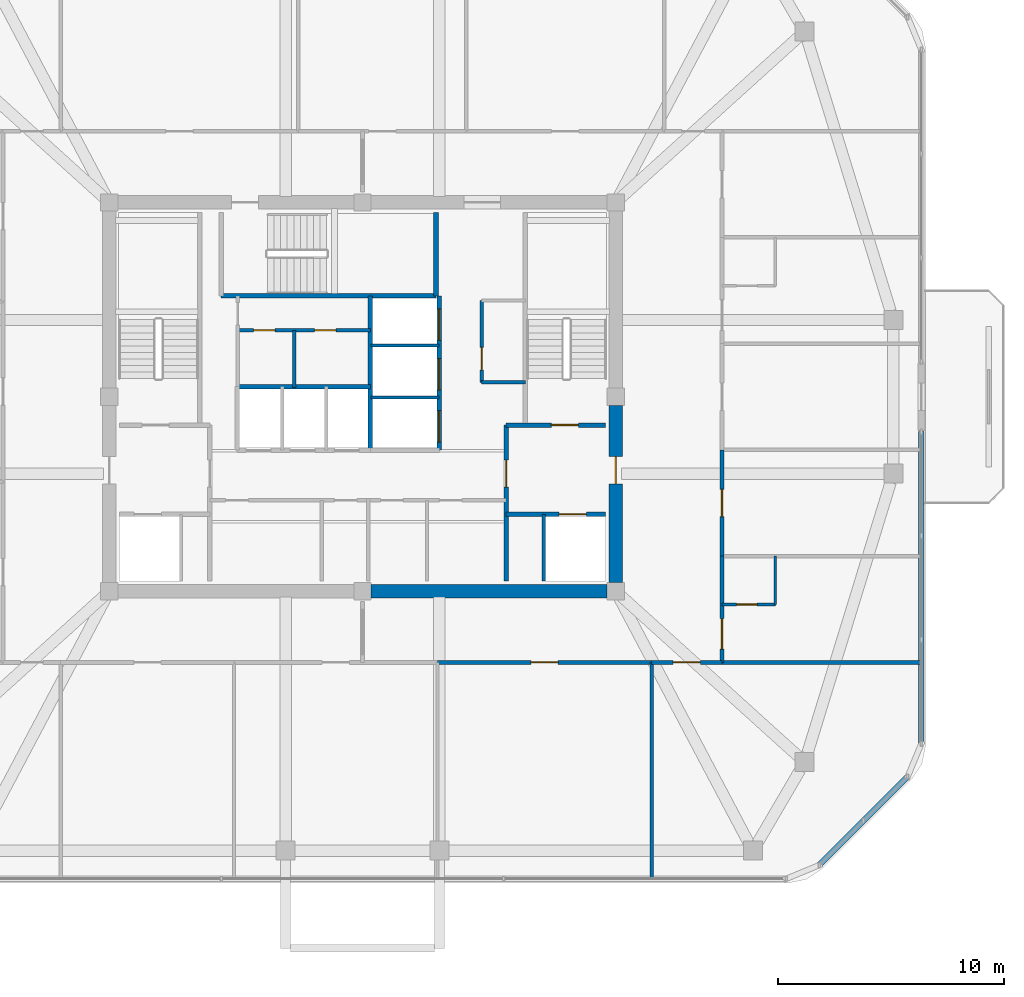
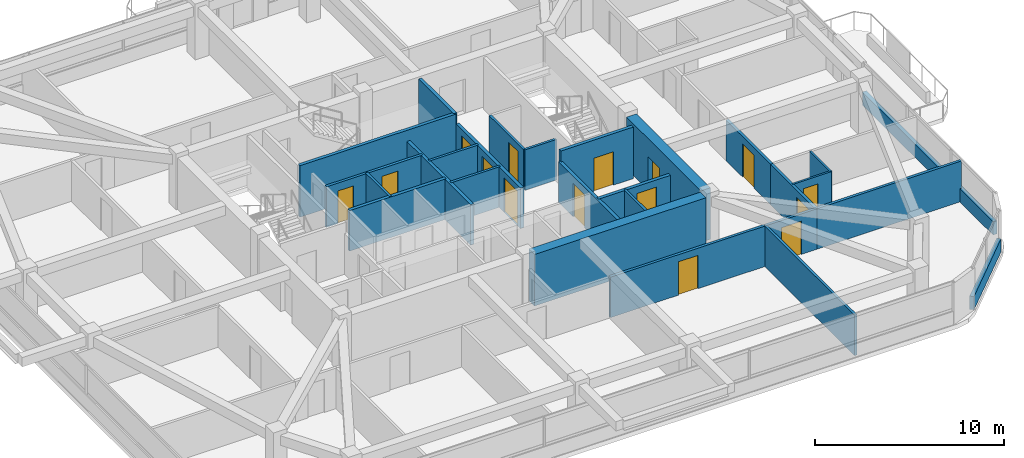
# One storey, part 10 of 14: 27 walls, 15 doors, 15 openings.
"""IFC4 building model written with IfcOpenShell, lengths in metres."""

from ifc_helpers import new_model, si_unit, derived_unit, direction, frame, frame_2d, origin, place, context, subcontext, project, spatial, rectangle, extrude, material, layer, layer_set, type_object, element, fill, save


model = new_model("IFC4")

# Units and contexts
model_context = context("Model", 3, precision=1e-05, world=origin(), true_north=direction((0.0, 1.0)))
body_context = subcontext(model_context, "Body", "Model", "MODEL_VIEW")
ifc_project = project(units=[si_unit("LENGTHUNIT", "METRE"), si_unit("AREAUNIT", "SQUARE_METRE"), si_unit("VOLUMEUNIT", "CUBIC_METRE"), si_unit("PLANEANGLEUNIT", "RADIAN"), si_unit("MASSUNIT", "GRAM", prefix="KILO"), derived_unit("THERMALTRANSMITTANCEUNIT", [(si_unit("POWERUNIT", "WATT"), 1), (si_unit("LENGTHUNIT", "METRE"), -2), (si_unit("THERMODYNAMICTEMPERATUREUNIT", "KELVIN"), -1)])], contexts=[model_context])

# Site, building, storey
site_placement = place(None, origin())
site = spatial("IfcSite", under=ifc_project, at=site_placement, CompositionType="ELEMENT")
building_placement = place(site_placement, origin())
building = spatial("IfcBuilding", under=site, at=building_placement, Name="Koralith Skygarden Medical Center", CompositionType="ELEMENT")
storey_placement = place(building_placement, frame((0.0, 0.0, 260.820068359375)))
storey = spatial("IfcBuildingStorey", under=building, at=storey_placement, Name="L67", CompositionType="ELEMENT", Elevation=260.820068359375)

# Wall, opening, door
ifc_material_1 = material(Name="Gypsum Board Partition")
ifc_layer_1 = layer(ifc_material_1, 0.14990234375)
ifc_layer_set_1 = layer_set([ifc_layer_1], Name="Gypsum Board Partition")
wall_type_1 = type_object("IfcWallType", Name="Clinical Acoustic Partition 150", PredefinedType="PARTITIONING", material=ifc_layer_set_1)
wall_1_placement = place(storey_placement, frame((42.27001953125, 26.5400390625, 0.0), z_axis=(0.0, 0.0, 1.0), x_axis=(0.0, 1.0, 0.0)))
wall_1 = element("IfcWall", 1, at=wall_1_placement, inside=storey, type_object=wall_type_1, Name="L67 Clinical Acoustic Partition 150 W-CORE-L67-ESUB-W", PredefinedType="PARTITIONING", context=body_context, shape_type="SweptSolid", body=[
    extrude(rectangle(XDim=3.619873046875, YDim=0.14990234375, at=frame_2d((1.81005859375, 0.0))), origin(), (0.0, 0.0, 1.0), 2.60986328125),
])
opening_1_placement = place(wall_1_placement, frame((0.550048828125, 0.0, 0.0)))
opening_1 = element("IfcOpeningElement", 2, at=opening_1_placement, cuts=wall_1, Name="Opening D-SUP", PredefinedType="OPENING", context=body_context, shape_type="SweptSolid", body=[
    extrude(rectangle(XDim=1.0, YDim=2.14990234375, at=frame_2d((0.5, 1.074951171875))), frame((0.0, 0.0849609375, 0.0), z_axis=(0.0, -1.0, 0.0), x_axis=(1.0, 0.0, 0.0)), (0.0, 0.0, 1.0), 0.169921875),
])
ifc_material_2 = material(Name="Aluminium 6063-T6", Category="aluminium")
door_type_1 = type_object("IfcDoorType", Name="Clinical Support Door D-SUP 1000", OperationType="NOTDEFINED", PredefinedType="DOOR", material=ifc_material_2)
door_1_placement = place(opening_1_placement, origin())
door_1 = element("IfcDoor", 3, at=door_1_placement, inside=storey, type_object=door_type_1, Name="L67 Core Equipment Store Door", OperationType="SINGLE_SWING_LEFT", OverallHeight=2.14990234375, OverallWidth=1.0, PredefinedType="DOOR", context=body_context, shape_type="SweptSolid", body=[
    extrude(rectangle(XDim=1.0, YDim=2.14990234375, at=frame_2d((0.5, 1.074951171875))), frame((0.0, 0.02490234375, 0.0), z_axis=(0.0, -1.0, 0.0), x_axis=(1.0, 0.0, 0.0)), (0.0, 0.0, 1.0), 0.050048828125),
])
fill(opening_1, door_1)

# Walls
wall_2_placement = place(storey_placement, frame((42.27001953125, 26.5400390625, 0.0), z_axis=(0.0, 0.0, 1.0), x_axis=(1.0, 0.0, 0.0)))
element("IfcWall", 4, at=wall_2_placement, inside=storey, type_object=wall_type_1, Name="L67 Clinical Acoustic Partition 150 W-CORE-L67-ESUB-S", PredefinedType="PARTITIONING", context=body_context, shape_type="SweptSolid", body=[
    extrude(rectangle(XDim=1.929931640625, YDim=0.14990234375, at=frame_2d((0.96484375, 0.0))), origin(), (0.0, 0.0, 1.0), 2.60986328125),
])
wall_3_placement = place(storey_placement, frame((33.97998046875, 26.320068359375, 0.0), z_axis=(0.0, 0.0, 1.0), x_axis=(0.0, 1.0, 0.0)))
element("IfcWall", 5, at=wall_3_placement, inside=storey, type_object=wall_type_1, Name="L67 Clinical Acoustic Partition 150 W-CORE-L67-FLEX-V3A", PredefinedType="PARTITIONING", context=body_context, shape_type="SweptSolid", body=[
    extrude(rectangle(XDim=2.52001953125, YDim=0.14990234375, at=frame_2d((1.260009765625, 0.0))), origin(), (0.0, 0.0, 1.0), 2.60986328125),
])
wall_4_placement = place(storey_placement, frame((49.787109375, 14.14990234375, 0.0), z_axis=(0.0, 0.0, 1.0), x_axis=(0.0, -1.0, 0.0)))
element("IfcWall", 6, at=wall_4_placement, inside=storey, type_object=wall_type_1, Name="L67 Clinical Acoustic Partition 150 W-PART-L67-S-04", PredefinedType="PARTITIONING", context=body_context, shape_type="SweptSolid", body=[
    extrude(rectangle(XDim=9.5498046875, YDim=0.14990234375, at=frame_2d((4.77490234375, 0.0))), origin(), (0.0, 0.0, 1.0), 2.60986328125),
])
ifc_layer_2 = layer(ifc_material_1, 0.1650390625)
ifc_layer_set_2 = layer_set([ifc_layer_2], Name="Gypsum Board Partition")
wall_type_2 = type_object("IfcWallType", Name="Clinical Corridor Partition 165", PredefinedType="PARTITIONING", material=ifc_layer_set_2)
wall_5_placement = place(storey_placement, frame((52.89990234375, 14.14990234375, 0.0), z_axis=(0.0, 0.0, 1.0), x_axis=(1.0, 0.0, 0.0)))
element("IfcWall", 7, at=wall_5_placement, inside=storey, type_object=wall_type_2, Name="L67 Clinical Corridor Partition 165 W-WB-L67-SE", PredefinedType="PARTITIONING", context=body_context, shape_type="SweptSolid", body=[
    extrude(rectangle(XDim=8.800048828125, YDim=0.1650390625, at=frame_2d((4.39990234375, 0.0))), origin(), (0.0, 0.0, 1.0), 2.60986328125),
])

# Wall, opening, door
wall_6_placement = place(storey_placement, frame((40.31494140625, 14.14990234375, 0.0), z_axis=(0.0, 0.0, 1.0), x_axis=(1.0, 0.0, 0.0)))
wall_6 = element("IfcWall", 8, at=wall_6_placement, inside=storey, type_object=wall_type_2, Name="L67 Clinical Corridor Partition 165 W-CORR-L67-S-04", PredefinedType="PARTITIONING", context=body_context, shape_type="SweptSolid", body=[
    extrude(rectangle(XDim=9.47216796875, YDim=0.1650390625, at=frame_2d((4.736083984375, 0.0))), origin(), (0.0, 0.0, 1.0), 2.60986328125),
])
opening_2_placement = place(wall_6_placement, frame((4.135986328125, 0.0, 0.0)))
opening_2 = element("IfcOpeningElement", 9, at=opening_2_placement, cuts=wall_6, Name="Opening D-CLN", PredefinedType="OPENING", context=body_context, shape_type="SweptSolid", body=[
    extrude(rectangle(XDim=1.199951171875, YDim=2.14990234375, at=frame_2d((0.60009765625, 1.074951171875))), frame((0.0, 0.092529296875, 0.0), z_axis=(0.0, -1.0, 0.0), x_axis=(1.0, 0.0, 0.0)), (0.0, 0.0, 1.0), 0.18505859375),
])
door_type_2 = type_object("IfcDoorType", Name="Clinical Corridor Door D-CLN 1200", OperationType="NOTDEFINED", PredefinedType="DOOR", material=ifc_material_2)
door_2_placement = place(opening_2_placement, frame((1.199951171875, 0.0, 0.0), z_axis=(0.0, 0.0, 1.0), x_axis=(-1.0, 0.0, 0.0)))
door_2 = element("IfcDoor", 10, at=door_2_placement, inside=storey, type_object=door_type_2, Name="L67 Epidemiology Huddle Room 09 Door", OperationType="SINGLE_SWING_RIGHT", OverallHeight=2.14990234375, OverallWidth=1.199951171875, PredefinedType="DOOR", context=body_context, shape_type="SweptSolid", body=[
    extrude(rectangle(XDim=1.199951171875, YDim=2.14990234375, at=frame_2d((0.60009765625, 1.074951171875))), frame((0.0, 0.02490234375, 0.0), z_axis=(0.0, -1.0, 0.0), x_axis=(1.0, 0.0, 0.0)), (0.0, 0.0, 1.0), 0.050048828125),
])
fill(opening_2, door_2)

wall_7_placement = place(storey_placement, frame((49.787109375, 14.14990234375, 0.0), z_axis=(0.0, 0.0, 1.0), x_axis=(1.0, 0.0, 0.0)))
wall_7 = element("IfcWall", 11, at=wall_7_placement, inside=storey, type_object=wall_type_2, Name="L67 Clinical Corridor Partition 165 W-CORR-L67-S-05", PredefinedType="PARTITIONING", context=body_context, shape_type="SweptSolid", body=[
    extrude(rectangle(XDim=3.11279296875, YDim=0.1650390625, at=frame_2d((1.556396484375, 0.0))), origin(), (0.0, 0.0, 1.0), 2.60986328125),
])
opening_3_placement = place(wall_7_placement, frame((0.9560546875, 0.0, 0.0)))
opening_3 = element("IfcOpeningElement", 12, at=opening_3_placement, cuts=wall_7, Name="Opening D-CLN", PredefinedType="OPENING", context=body_context, shape_type="SweptSolid", body=[
    extrude(rectangle(XDim=1.199951171875, YDim=2.14990234375, at=frame_2d((0.60009765625, 1.074951171875))), frame((0.0, 0.092529296875, 0.0), z_axis=(0.0, -1.0, 0.0), x_axis=(1.0, 0.0, 0.0)), (0.0, 0.0, 1.0), 0.18505859375),
])
door_3_placement = place(opening_3_placement, frame((1.199951171875, 0.0, 0.0), z_axis=(0.0, 0.0, 1.0), x_axis=(-1.0, 0.0, 0.0)))
door_3 = element("IfcDoor", 13, at=door_3_placement, inside=storey, type_object=door_type_2, Name="L67 Infectious Disease Consult Office 10 Door", OperationType="SINGLE_SWING_LEFT", OverallHeight=2.14990234375, OverallWidth=1.199951171875, PredefinedType="DOOR", context=body_context, shape_type="SweptSolid", body=[
    extrude(rectangle(XDim=1.199951171875, YDim=2.14990234375, at=frame_2d((0.60009765625, 1.074951171875))), frame((0.0, 0.02490234375, 0.0), z_axis=(0.0, -1.0, 0.0), x_axis=(1.0, 0.0, 0.0)), (0.0, 0.0, 1.0), 0.050048828125),
])
fill(opening_3, door_3)

wall_8_placement = place(storey_placement, frame((52.89990234375, 14.14990234375, 0.0), z_axis=(0.0, 0.0, 1.0), x_axis=(0.0, 1.0, 0.0)))
wall_8 = element("IfcWall", 14, at=wall_8_placement, inside=storey, type_object=wall_type_2, Name="L67 Clinical Corridor Partition 165 W-CORR-L67-E-01", PredefinedType="PARTITIONING", context=body_context, shape_type="SweptSolid", body=[
    extrude(rectangle(XDim=4.7001953125, YDim=0.1650390625, at=frame_2d((2.35009765625, 0.0))), origin(), (0.0, 0.0, 1.0), 2.60986328125),
])
opening_4_placement = place(wall_8_placement, frame((0.590087890625, 0.0, 0.0)))
opening_4 = element("IfcOpeningElement", 15, at=opening_4_placement, cuts=wall_8, Name="Opening D-BED", PredefinedType="OPENING", context=body_context, shape_type="SweptSolid", body=[
    extrude(rectangle(XDim=1.35009765625, YDim=2.14990234375, at=frame_2d((0.675048828125, 1.074951171875))), frame((0.0, 0.092529296875, 0.0), z_axis=(0.0, -1.0, 0.0), x_axis=(1.0, 0.0, 0.0)), (0.0, 0.0, 1.0), 0.18505859375),
])
door_type_3 = type_object("IfcDoorType", Name="Inpatient Bed Leaf Door D-BED 1350", OperationType="NOTDEFINED", PredefinedType="DOOR", material=ifc_material_2)
door_4_placement = place(opening_4_placement, origin())
door_4 = element("IfcDoor", 16, at=door_4_placement, inside=storey, type_object=door_type_3, Name="L67 Inpatient Bedroom 14 Door", OperationType="SINGLE_SWING_LEFT", OverallHeight=2.14990234375, OverallWidth=1.35009765625, PredefinedType="DOOR", context=body_context, shape_type="SweptSolid", body=[
    extrude(rectangle(XDim=1.35009765625, YDim=2.14990234375, at=frame_2d((0.675048828125, 1.074951171875))), frame((0.0, 0.02490234375, 0.0), z_axis=(0.0, -1.0, 0.0), x_axis=(1.0, 0.0, 0.0)), (0.0, 0.0, 1.0), 0.050048828125),
])
fill(opening_4, door_4)

wall_9_placement = place(storey_placement, frame((52.89990234375, 18.85009765625, 0.0), z_axis=(0.0, 0.0, 1.0), x_axis=(0.0, 1.0, 0.0)))
wall_9 = element("IfcWall", 17, at=wall_9_placement, inside=storey, type_object=wall_type_2, Name="L67 Clinical Corridor Partition 165 W-CORR-L67-E-02", PredefinedType="PARTITIONING", context=body_context, shape_type="SweptSolid", body=[
    extrude(rectangle(XDim=4.699951171875, YDim=0.1650390625, at=frame_2d((2.35009765625, 0.0))), origin(), (0.0, 0.0, 1.0), 2.60986328125),
])
opening_5_placement = place(wall_9_placement, frame((1.75, 0.0, 0.0)))
opening_5 = element("IfcOpeningElement", 18, at=opening_5_placement, cuts=wall_9, Name="Opening D-CLN", PredefinedType="OPENING", context=body_context, shape_type="SweptSolid", body=[
    extrude(rectangle(XDim=1.199951171875, YDim=2.14990234375, at=frame_2d((0.60009765625, 1.074951171875))), frame((0.0, 0.092529296875, 0.0), z_axis=(0.0, -1.0, 0.0), x_axis=(1.0, 0.0, 0.0)), (0.0, 0.0, 1.0), 0.18505859375),
])
door_5_placement = place(opening_5_placement, origin())
door_5 = element("IfcDoor", 19, at=door_5_placement, inside=storey, type_object=door_type_2, Name="L67 Infectious Disease Consult Office 15 Door", OperationType="SINGLE_SWING_RIGHT", OverallHeight=2.14990234375, OverallWidth=1.199951171875, PredefinedType="DOOR", context=body_context, shape_type="SweptSolid", body=[
    extrude(rectangle(XDim=1.199951171875, YDim=2.14990234375, at=frame_2d((0.60009765625, 1.074951171875))), frame((0.0, 0.02490234375, 0.0), z_axis=(0.0, -1.0, 0.0), x_axis=(1.0, 0.0, 0.0)), (0.0, 0.0, 1.0), 0.050048828125),
])
fill(opening_5, door_5)

ifc_layer_3 = layer(ifc_material_1, 0.199951171875)
ifc_layer_set_3 = layer_set([ifc_layer_3], Name="Gypsum Board Partition")
wall_type_3 = type_object("IfcWallType", Name="Fire Shaft Wall 200", PredefinedType="SOLIDWALL", material=ifc_layer_set_3)
wall_10_placement = place(storey_placement, frame((43.35009765625, 20.699951171875, 0.0), z_axis=(0.0, 0.0, 1.0), x_axis=(1.0, 0.0, 0.0)))
wall_10 = element("IfcWall", 20, at=wall_10_placement, inside=storey, type_object=wall_type_3, Name="L67 Fire Shaft Wall 200 W-CORE-L67-FF2-N", PredefinedType="SOLIDWALL", context=body_context, shape_type="SweptSolid", body=[
    extrude(rectangle(XDim=4.39990234375, YDim=0.199951171875, at=frame_2d((2.199951171875, 0.0))), origin(), (0.0, 0.0, 1.0), 2.60986328125),
])
opening_6_placement = place(wall_10_placement, frame((2.35009765625, 0.0, 0.0)))
opening_6 = element("IfcOpeningElement", 21, at=opening_6_placement, cuts=wall_10, Name="Opening LD-FF", PredefinedType="OPENING", context=body_context, shape_type="SweptSolid", body=[
    extrude(rectangle(XDim=1.199951171875, YDim=2.14990234375, at=frame_2d((0.60009765625, 1.074951171875))), frame((0.0, 0.10986328125, 0.0), z_axis=(0.0, -1.0, 0.0), x_axis=(1.0, 0.0, 0.0)), (0.0, 0.0, 1.0), 0.219970703125),
])
ifc_material_3 = material(Name="Steel ASTM A500 Grade C", Category="steel")
door_type_4 = type_object("IfcDoorType", Name="Fire Lift Sliding Landing Door LD-FF 1200", OperationType="NOTDEFINED", PredefinedType="DOOR", material=ifc_material_3)
door_6_placement = place(opening_6_placement, origin())
door_6 = element("IfcDoor", 22, at=door_6_placement, inside=storey, type_object=door_type_4, Name="L67 Fire Service Elevator FF2 Landing Door", OperationType="SLIDING_TO_RIGHT", OverallHeight=2.14990234375, OverallWidth=1.199951171875, PredefinedType="DOOR", context=body_context, shape_type="SweptSolid", body=[
    extrude(rectangle(XDim=1.199951171875, YDim=2.14990234375, at=frame_2d((0.60009765625, 1.074951171875))), frame((0.0, 0.02490234375, 0.0), z_axis=(0.0, -1.0, 0.0), x_axis=(1.0, 0.0, 0.0)), (0.0, 0.0, 1.0), 0.050048828125),
])
fill(opening_6, door_6)

wall_11_placement = place(storey_placement, frame((43.35009765625, 17.75, 0.0), z_axis=(0.0, 0.0, 1.0), x_axis=(0.0, 1.0, 0.0)))
wall_11 = element("IfcWall", 23, at=wall_11_placement, inside=storey, type_object=wall_type_3, Name="L67 Fire Shaft Wall 200 W-CORE-L67-FSAEE-W", PredefinedType="SOLIDWALL", context=body_context, shape_type="SweptSolid", body=[
    extrude(rectangle(XDim=6.89990234375, YDim=0.199951171875, at=frame_2d((3.449951171875, 0.0))), origin(), (0.0, 0.0, 1.0), 2.60986328125),
])
opening_7_placement = place(wall_11_placement, frame((4.14990234375, 0.0, 0.0)))
opening_7 = element("IfcOpeningElement", 24, at=opening_7_placement, cuts=wall_11, Name="Opening D-ST60", PredefinedType="OPENING", context=body_context, shape_type="SweptSolid", body=[
    extrude(rectangle(XDim=1.199951171875, YDim=2.14990234375, at=frame_2d((0.60009765625, 1.074951171875))), frame((0.0, 0.10986328125, 0.0), z_axis=(0.0, -1.0, 0.0), x_axis=(1.0, 0.0, 0.0)), (0.0, 0.0, 1.0), 0.219970703125),
])
door_type_5 = type_object("IfcDoorType", Name="Smokeproof Stair Fire Door FD60S 1200", OperationType="NOTDEFINED", PredefinedType="DOOR", material=ifc_material_3)
door_7_placement = place(opening_7_placement, frame((1.199951171875, 0.0, 0.0), z_axis=(0.0, 0.0, 1.0), x_axis=(-1.0, 0.0, 0.0)))
door_7 = element("IfcDoor", 25, at=door_7_placement, inside=storey, type_object=door_type_5, Name="L67 East Firefighting Lobby Inner Fire Door", OperationType="SINGLE_SWING_RIGHT", OverallHeight=2.14990234375, OverallWidth=1.199951171875, PredefinedType="DOOR", context=body_context, shape_type="SweptSolid", body=[
    extrude(rectangle(XDim=1.199951171875, YDim=2.14990234375, at=frame_2d((0.60009765625, 1.074951171875))), frame((0.0, 0.02490234375, 0.0), z_axis=(0.0, -1.0, 0.0), x_axis=(1.0, 0.0, 0.0)), (0.0, 0.0, 1.0), 0.050048828125),
])
fill(opening_7, door_7)

# Walls
wall_12_placement = place(storey_placement, frame((31.449951171875, 26.35009765625, 0.0), z_axis=(0.0, 0.0, 1.0), x_axis=(1.0, 0.0, 0.0)))
element("IfcWall", 26, at=wall_12_placement, inside=storey, type_object=wall_type_3, Name="L67 Fire Shaft Wall 200 W-CORE-L67-PH-N", PredefinedType="SOLIDWALL", context=body_context, shape_type="SweptSolid", body=[
    extrude(rectangle(XDim=5.900146484375, YDim=0.199951171875, at=frame_2d((2.9501953125, 0.0))), origin(), (0.0, 0.0, 1.0), 2.60986328125),
])
wall_13_placement = place(storey_placement, frame((37.35009765625, 23.5400390625, 0.0), z_axis=(0.0, 0.0, 1.0), x_axis=(0.0, 1.0, 0.0)))
element("IfcWall", 27, at=wall_13_placement, inside=storey, type_object=wall_type_3, Name="L67 Fire Shaft Wall 200 W-CORE-L67-SV-W", PredefinedType="SOLIDWALL", context=body_context, shape_type="SweptSolid", body=[
    extrude(rectangle(XDim=6.820068359375, YDim=0.199951171875, at=frame_2d((3.41015625, 0.0))), origin(), (0.0, 0.0, 1.0), 2.60986328125),
])

# Wall, openings, doors
wall_14_placement = place(storey_placement, frame((40.39990234375, 23.5400390625, 0.0), z_axis=(0.0, 0.0, 1.0), x_axis=(0.0, 1.0, 0.0)))
wall_14 = element("IfcWall", 28, at=wall_14_placement, inside=storey, type_object=wall_type_3, Name="L67 Fire Shaft Wall 200 W-CORE-L67-SV-E", PredefinedType="SOLIDWALL", context=body_context, shape_type="SweptSolid", body=[
    extrude(rectangle(XDim=6.820068359375, YDim=0.199951171875, at=frame_2d((3.41015625, 0.0))), origin(), (0.0, 0.0, 1.0), 2.60986328125),
])
opening_8_placement = place(wall_14_placement, frame((0.35009765625, 0.0, 0.0)))
opening_8 = element("IfcOpeningElement", 29, at=opening_8_placement, cuts=wall_14, Name="Opening LD-SV", PredefinedType="OPENING", context=body_context, shape_type="SweptSolid", body=[
    extrude(rectangle(XDim=1.39990234375, YDim=2.199951171875, at=frame_2d((0.699951171875, 1.10009765625))), frame((0.0, 0.10986328125, 0.0), z_axis=(0.0, -1.0, 0.0), x_axis=(1.0, 0.0, 0.0)), (0.0, 0.0, 1.0), 0.219970703125),
])
opening_9_placement = place(wall_14_placement, frame((2.64990234375, 0.0, 0.0)))
opening_9 = element("IfcOpeningElement", 30, at=opening_9_placement, cuts=wall_14, Name="Opening LD-SV", PredefinedType="OPENING", context=body_context, shape_type="SweptSolid", body=[
    extrude(rectangle(XDim=1.39990234375, YDim=2.199951171875, at=frame_2d((0.699951171875, 1.10009765625))), frame((0.0, 0.10986328125, 0.0), z_axis=(0.0, -1.0, 0.0), x_axis=(1.0, 0.0, 0.0)), (0.0, 0.0, 1.0), 0.219970703125),
])
opening_10_placement = place(wall_14_placement, frame((4.85009765625, 0.0, 0.0)))
opening_10 = element("IfcOpeningElement", 31, at=opening_10_placement, cuts=wall_14, Name="Opening LD-SV", PredefinedType="OPENING", context=body_context, shape_type="SweptSolid", body=[
    extrude(rectangle(XDim=1.39990234375, YDim=2.199951171875, at=frame_2d((0.699951171875, 1.10009765625))), frame((0.0, 0.10986328125, 0.0), z_axis=(0.0, -1.0, 0.0), x_axis=(1.0, 0.0, 0.0)), (0.0, 0.0, 1.0), 0.219970703125),
])
door_type_6 = type_object("IfcDoorType", Name="Bed Lift Sliding Landing Door LD-SV 1400", OperationType="NOTDEFINED", PredefinedType="DOOR", material=ifc_material_3)
door_8_placement = place(opening_8_placement, origin())
door_8 = element("IfcDoor", 32, at=door_8_placement, inside=storey, type_object=door_type_6, Name="L67 Bed Elevator BD1 Landing Door", OperationType="SLIDING_TO_LEFT", OverallHeight=2.199951171875, OverallWidth=1.39990234375, PredefinedType="DOOR", context=body_context, shape_type="SweptSolid", body=[
    extrude(rectangle(XDim=1.39990234375, YDim=2.199951171875, at=frame_2d((0.699951171875, 1.10009765625))), frame((0.0, 0.02490234375, 0.0), z_axis=(0.0, -1.0, 0.0), x_axis=(1.0, 0.0, 0.0)), (0.0, 0.0, 1.0), 0.050048828125),
])
fill(opening_8, door_8)
door_9_placement = place(opening_9_placement, origin())
door_9 = element("IfcDoor", 33, at=door_9_placement, inside=storey, type_object=door_type_6, Name="L67 Service Elevator BD2 Landing Door", OperationType="SLIDING_TO_LEFT", OverallHeight=2.199951171875, OverallWidth=1.39990234375, PredefinedType="DOOR", context=body_context, shape_type="SweptSolid", body=[
    extrude(rectangle(XDim=1.39990234375, YDim=2.199951171875, at=frame_2d((0.699951171875, 1.10009765625))), frame((0.0, 0.02490234375, 0.0), z_axis=(0.0, -1.0, 0.0), x_axis=(1.0, 0.0, 0.0)), (0.0, 0.0, 1.0), 0.050048828125),
])
fill(opening_9, door_9)
door_10_placement = place(opening_10_placement, origin())
door_10 = element("IfcDoor", 34, at=door_10_placement, inside=storey, type_object=door_type_6, Name="L67 Trauma Elevator TR1 Landing Door", OperationType="SLIDING_TO_RIGHT", OverallHeight=2.199951171875, OverallWidth=1.39990234375, PredefinedType="DOOR", context=body_context, shape_type="SweptSolid", body=[
    extrude(rectangle(XDim=1.39990234375, YDim=2.199951171875, at=frame_2d((0.699951171875, 1.10009765625))), frame((0.0, 0.02490234375, 0.0), z_axis=(0.0, -1.0, 0.0), x_axis=(1.0, 0.0, 0.0)), (0.0, 0.0, 1.0), 0.050048828125),
])
fill(opening_10, door_10)

# Walls
ifc_material_4 = material(Name="Warm Oolitic Limestone Cladding", Category="masonry")
ifc_layer_4 = layer(ifc_material_4, 0.239990234375)
ifc_layer_set_4 = layer_set([ifc_layer_4], Name="Warm Oolitic Limestone Cladding")
wall_type_4 = type_object("IfcWallType", Name="Limestone Spandrel Sill Backup Wall 240", PredefinedType="SOLIDWALL", material=ifc_layer_set_4)
wall_15_placement = place(storey_placement, frame((57.196044921875, 5.180908203125, 0.0), z_axis=(0.0, 0.0, 1.0), x_axis=(0.707084777957, 0.707128783731, 0.0)))
element("IfcWall", 35, at=wall_15_placement, inside=storey, type_object=wall_type_4, Name="L67 Sill Spandrel SE", PredefinedType="SOLIDWALL", context=body_context, shape_type="SweptSolid", body=[
    extrude(rectangle(XDim=5.5478515625, YDim=0.239990234375, at=frame_2d((2.77392578125, 0.0))), origin(), (0.0, 0.0, 1.0), 0.849853515625),
])
wall_16_placement = place(storey_placement, frame((61.719970703125, 10.554931640625, 0.0), z_axis=(0.0, 0.0, 1.0), x_axis=(0.0, 1.0, 0.0)))
element("IfcWall", 36, at=wall_16_placement, inside=storey, type_object=wall_type_4, Name="L67 Sill Spandrel E-L", PredefinedType="SOLIDWALL", context=body_context, shape_type="SweptSolid", body=[
    extrude(rectangle(XDim=13.80517578125, YDim=0.239990234375, at=frame_2d((6.902587890625, 0.0))), origin(), (0.0, 0.0, 1.0), 0.849853515625),
])

# Wall, opening, door
ifc_layer_5 = layer(ifc_material_1, 0.1201171875)
ifc_layer_set_5 = layer_set([ifc_layer_5], Name="Gypsum Board Partition")
wall_type_5 = type_object("IfcWallType", Name="Plumbing Wet Wall 120", PredefinedType="PLUMBINGWALL", material=ifc_layer_set_5)
wall_17_placement = place(storey_placement, frame((52.89990234375, 16.7099609375, 0.0), z_axis=(0.0, 0.0, 1.0), x_axis=(1.0, 0.0, 0.0)))
wall_17 = element("IfcWall", 37, at=wall_17_placement, inside=storey, type_object=wall_type_5, Name="L67 Plumbing Wet Wall 120 W-ENS-L67-14A", PredefinedType="PLUMBINGWALL", context=body_context, shape_type="SweptSolid", body=[
    extrude(rectangle(XDim=2.360107421875, YDim=0.1201171875, at=frame_2d((1.18017578125, 0.0))), origin(), (0.0, 0.0, 1.0), 2.60986328125),
])
opening_11_placement = place(wall_17_placement, frame((0.64990234375, 0.0, 0.0)))
opening_11 = element("IfcOpeningElement", 38, at=opening_11_placement, cuts=wall_17, Name="Opening D-ENS", PredefinedType="OPENING", context=body_context, shape_type="SweptSolid", body=[
    extrude(rectangle(XDim=0.89990234375, YDim=2.10009765625, at=frame_2d((0.449951171875, 1.050048828125))), frame((0.0, 0.070068359375, 0.0), z_axis=(0.0, -1.0, 0.0), x_axis=(1.0, 0.0, 0.0)), (0.0, 0.0, 1.0), 0.14013671875),
])
door_type_7 = type_object("IfcDoorType", Name="En-Suite Bathroom Door D-ENS 900", OperationType="NOTDEFINED", PredefinedType="DOOR", material=ifc_material_2)
door_11_placement = place(opening_11_placement, frame((0.89990234375, 0.0, 0.0), z_axis=(0.0, 0.0, 1.0), x_axis=(-1.0, 0.0, 0.0)))
door_11 = element("IfcDoor", 39, at=door_11_placement, inside=storey, type_object=door_type_7, Name="L67 En-Suite 14 Door", OperationType="SINGLE_SWING_LEFT", OverallHeight=2.10009765625, OverallWidth=0.89990234375, PredefinedType="DOOR", context=body_context, shape_type="SweptSolid", body=[
    extrude(rectangle(XDim=0.89990234375, YDim=2.10009765625, at=frame_2d((0.449951171875, 1.050048828125))), frame((0.0, 0.02490234375, 0.0), z_axis=(0.0, -1.0, 0.0), x_axis=(1.0, 0.0, 0.0)), (0.0, 0.0, 1.0), 0.050048828125),
])
fill(opening_11, door_11)

# Wall
wall_18_placement = place(storey_placement, frame((55.260009765625, 16.7099609375, 0.0), z_axis=(0.0, 0.0, 1.0), x_axis=(0.0, 1.0, 0.0)))
element("IfcWall", 40, at=wall_18_placement, inside=storey, type_object=wall_type_5, Name="L67 Plumbing Wet Wall 120 W-ENS-L67-14B", PredefinedType="PLUMBINGWALL", context=body_context, shape_type="SweptSolid", body=[
    extrude(rectangle(XDim=2.14013671875, YDim=0.1201171875, at=frame_2d((1.070068359375, 0.0))), origin(), (0.0, 0.0, 1.0), 2.60986328125),
])

# Wall, openings, doors
ifc_layer_6 = layer(ifc_material_1, 0.1650390625)
ifc_layer_set_6 = layer_set([ifc_layer_6], Name="Gypsum Board Partition")
wall_type_6 = type_object("IfcWallType", Name="Plumbing Wet Wall 165", PredefinedType="PLUMBINGWALL", material=ifc_layer_set_6)
wall_19_placement = place(storey_placement, frame((31.47998046875, 28.840087890625, 0.0), z_axis=(0.0, 0.0, 1.0), x_axis=(1.0, 0.0, 0.0)))
wall_19 = element("IfcWall", 41, at=wall_19_placement, inside=storey, type_object=wall_type_6, Name="L67 Plumbing Wet Wall 165 W-CORE-L67-FLEX-H3", PredefinedType="PLUMBINGWALL", context=body_context, shape_type="SweptSolid", body=[
    extrude(rectangle(XDim=5.8701171875, YDim=0.1650390625, at=frame_2d((2.93505859375, 0.0))), origin(), (0.0, 0.0, 1.0), 2.60986328125),
])
opening_12_placement = place(wall_19_placement, frame((0.699951171875, 0.0, 0.0)))
opening_12 = element("IfcOpeningElement", 42, at=opening_12_placement, cuts=wall_19, Name="Opening D-WC", PredefinedType="OPENING", context=body_context, shape_type="SweptSolid", body=[
    extrude(rectangle(XDim=0.949951171875, YDim=2.10009765625, at=frame_2d((0.47509765625, 1.050048828125))), frame((0.0, 0.092529296875, 0.0), z_axis=(0.0, -1.0, 0.0), x_axis=(1.0, 0.0, 0.0)), (0.0, 0.0, 1.0), 0.18505859375),
])
opening_13_placement = place(wall_19_placement, frame((3.39990234375, 0.0, 0.0)))
opening_13 = element("IfcOpeningElement", 43, at=opening_13_placement, cuts=wall_19, Name="Opening D-WC", PredefinedType="OPENING", context=body_context, shape_type="SweptSolid", body=[
    extrude(rectangle(XDim=0.949951171875, YDim=2.10009765625, at=frame_2d((0.47509765625, 1.050048828125))), frame((0.0, 0.092529296875, 0.0), z_axis=(0.0, -1.0, 0.0), x_axis=(1.0, 0.0, 0.0)), (0.0, 0.0, 1.0), 0.18505859375),
])
door_type_8 = type_object("IfcDoorType", Name="Accessible Toilet Door D-WC 950", OperationType="NOTDEFINED", PredefinedType="DOOR", material=ifc_material_2)
door_12_placement = place(opening_12_placement, frame((0.949951171875, 0.0, 0.0), z_axis=(0.0, 0.0, 1.0), x_axis=(-1.0, 0.0, 0.0)))
door_12 = element("IfcDoor", 44, at=door_12_placement, inside=storey, type_object=door_type_8, Name="L67 Core Accessible WC Door", OperationType="SINGLE_SWING_LEFT", OverallHeight=2.10009765625, OverallWidth=0.949951171875, PredefinedType="DOOR", context=body_context, shape_type="SweptSolid", body=[
    extrude(rectangle(XDim=0.949951171875, YDim=2.10009765625, at=frame_2d((0.47509765625, 1.050048828125))), frame((0.0, 0.02490234375, 0.0), z_axis=(0.0, -1.0, 0.0), x_axis=(1.0, 0.0, 0.0)), (0.0, 0.0, 1.0), 0.050048828125),
])
fill(opening_12, door_12)
door_13_placement = place(opening_13_placement, frame((0.949951171875, 0.0, 0.0), z_axis=(0.0, 0.0, 1.0), x_axis=(-1.0, 0.0, 0.0)))
door_13 = element("IfcDoor", 45, at=door_13_placement, inside=storey, type_object=door_type_8, Name="L67 Housekeeping Store Door", OperationType="SINGLE_SWING_RIGHT", OverallHeight=2.10009765625, OverallWidth=0.949951171875, PredefinedType="DOOR", context=body_context, shape_type="SweptSolid", body=[
    extrude(rectangle(XDim=0.949951171875, YDim=2.10009765625, at=frame_2d((0.47509765625, 1.050048828125))), frame((0.0, 0.02490234375, 0.0), z_axis=(0.0, -1.0, 0.0), x_axis=(1.0, 0.0, 0.0)), (0.0, 0.0, 1.0), 0.050048828125),
])
fill(opening_13, door_13)

# Walls
ifc_layer_7 = layer(ifc_material_1, 0.14990234375)
ifc_layer_set_7 = layer_set([ifc_layer_7], Name="Gypsum Board Partition")
wall_type_7 = type_object("IfcWallType", Name="Shaft Partition Wall 150", PredefinedType="PARTITIONING", material=ifc_layer_set_7)
wall_20_placement = place(storey_placement, frame((45.02001953125, 17.75, 0.0), z_axis=(0.0, 0.0, 1.0), x_axis=(0.0, 1.0, 0.0)))
element("IfcWall", 46, at=wall_20_placement, inside=storey, type_object=wall_type_7, Name="L67 Shaft Partition Wall 150 W-CORE-L67-RSRE-DIV", PredefinedType="PARTITIONING", context=body_context, shape_type="SweptSolid", body=[
    extrude(rectangle(XDim=2.949951171875, YDim=0.14990234375, at=frame_2d((1.47509765625, 0.0))), origin(), (0.0, 0.0, 1.0), 2.60986328125),
])
for number, where, z_axis, x_axis, name in (
    (47, (37.3701171875, 25.8701171875, 0.0), (0.0, 0.0, 1.0), (1.0, 0.0, 0.0), "L67 Shaft Partition Wall 150 W-CORE-L67-SV-D1"),
    (48, (37.3701171875, 28.169921875, 0.0), (0.0, 0.0, 1.0), (1.0, 0.0, 0.0), "L67 Shaft Partition Wall 150 W-CORE-L67-SV-D2"),
):
    element("IfcWall", number, at=place(storey_placement, frame(where, z_axis=z_axis, x_axis=x_axis)), inside=storey, type_object=wall_type_7, Name=name, PredefinedType="PARTITIONING", context=body_context, shape_type="SweptSolid", body=[
        extrude(rectangle(XDim=3.009765625, YDim=0.14990234375, at=frame_2d((1.5048828125, 0.0))), origin(), (0.0, 0.0, 1.0), 2.60986328125),
    ])

# Wall, opening, door
ifc_material_5 = material(Name="Concrete C45/55", Category="concrete")
ifc_layer_8 = layer(ifc_material_5, 0.199951171875)
ifc_layer_set_8 = layer_set([ifc_layer_8], Name="Concrete C45/55")
wall_type_8 = type_object("IfcWallType", Name="Structural Stair Shaft Wall 200", PredefinedType="SHEAR", material=ifc_layer_set_8)
wall_21_placement = place(storey_placement, frame((43.35009765625, 24.64990234375, 0.0), z_axis=(0.0, 0.0, 1.0), x_axis=(1.0, 0.0, 0.0)))
wall_21 = element("IfcWall", 49, at=wall_21_placement, inside=storey, type_object=wall_type_8, Name="L67 Structural Stair Shaft Wall 200 W-CORE-L67-ST2-S", PredefinedType="SHEAR", context=body_context, shape_type="SweptSolid", body=[
    extrude(rectangle(XDim=4.39990234375, YDim=0.199951171875, at=frame_2d((2.199951171875, 0.0))), origin(), (0.0, 0.0, 1.0), 3.31982421875),
])
opening_14_placement = place(wall_21_placement, frame((2.0, 0.0, 0.0)))
opening_14 = element("IfcOpeningElement", 50, at=opening_14_placement, cuts=wall_21, Name="Opening D-ST60", PredefinedType="OPENING", context=body_context, shape_type="SweptSolid", body=[
    extrude(rectangle(XDim=1.199951171875, YDim=2.14990234375, at=frame_2d((0.60009765625, 1.074951171875))), frame((0.0, 0.10986328125, 0.0), z_axis=(0.0, -1.0, 0.0), x_axis=(1.0, 0.0, 0.0)), (0.0, 0.0, 1.0), 0.219970703125),
])
door_14_placement = place(opening_14_placement, origin())
door_14 = element("IfcDoor", 51, at=door_14_placement, inside=storey, type_object=door_type_5, Name="L67 Exit Stair ST2 Fire Door", OperationType="SINGLE_SWING_RIGHT", OverallHeight=2.14990234375, OverallWidth=1.199951171875, PredefinedType="DOOR", context=body_context, shape_type="SweptSolid", body=[
    extrude(rectangle(XDim=1.199951171875, YDim=2.14990234375, at=frame_2d((0.60009765625, 1.074951171875))), frame((0.0, 0.02490234375, 0.0), z_axis=(0.0, -1.0, 0.0), x_axis=(1.0, 0.0, 0.0)), (0.0, 0.0, 1.0), 0.050048828125),
])
fill(opening_14, door_14)

# Walls
wall_22_placement = place(storey_placement, frame((30.75, 30.360107421875, 0.0), z_axis=(0.0, 0.0, 1.0), x_axis=(1.0, 0.0, 0.0)))
element("IfcWall", 52, at=wall_22_placement, inside=storey, type_object=wall_type_8, Name="L67 Structural Stair Shaft Wall 200 W-CORE-L67-ST3-S", PredefinedType="SHEAR", context=body_context, shape_type="SweptSolid", body=[
    extrude(rectangle(XDim=9.5, YDim=0.199951171875, at=frame_2d((4.75, 0.0))), origin(), (0.0, 0.0, 1.0), 3.31982421875),
])
wall_23_placement = place(storey_placement, frame((40.25, 30.360107421875, 0.0), z_axis=(0.0, 0.0, 1.0), x_axis=(0.0, 1.0, 0.0)))
element("IfcWall", 53, at=wall_23_placement, inside=storey, type_object=wall_type_8, Name="L67 Structural Stair Shaft Wall 200 W-CORE-L67-ST3-E", PredefinedType="SHEAR", context=body_context, shape_type="SweptSolid", body=[
    extrude(rectangle(XDim=3.68994140625, YDim=0.199951171875, at=frame_2d((1.844970703125, 0.0))), origin(), (0.0, 0.0, 1.0), 3.31982421875),
])
ifc_material_6 = material(Name="Concrete C55/67", Category="concrete")
ifc_layer_9 = layer(ifc_material_6, 0.60009765625)
ifc_layer_set_9 = layer_set([ifc_layer_9], Name="Concrete C55/67")
wall_type_9 = type_object("IfcWallType", Name="Upper Core Shear Wall 600", PredefinedType="SHEAR", material=ifc_layer_set_9)
wall_24_placement = place(storey_placement, frame((37.375, 17.300048828125, 0.0), z_axis=(0.0, 0.0, 1.0), x_axis=(1.0, 0.0, 0.0)))
element("IfcWall", 54, at=wall_24_placement, inside=storey, type_object=wall_type_9, Name="L67 Core Shear Wall Segment 2", PredefinedType="SHEAR", context=body_context, shape_type="SweptSolid", body=[
    extrude(rectangle(XDim=10.449951171875, YDim=0.60009765625, at=frame_2d((5.22509765625, 0.0))), origin(), (0.0, 0.0, 1.0), 3.31982421875),
])

# Wall, opening, door
wall_25_placement = place(storey_placement, frame((48.199951171875, 17.675048828125, 0.0), z_axis=(0.0, 0.0, 1.0), x_axis=(0.0, 1.0, 0.0)))
wall_25 = element("IfcWall", 55, at=wall_25_placement, inside=storey, type_object=wall_type_9, Name="L67 Core Shear Wall Segment 3", PredefinedType="SHEAR", context=body_context, shape_type="SweptSolid", body=[
    extrude(rectangle(XDim=7.849853515625, YDim=0.60009765625, at=frame_2d((3.9248046875, 0.0))), origin(), (0.0, 0.0, 1.0), 3.31982421875),
])
opening_15_placement = place(wall_25_placement, frame((4.375, 0.0, 0.0)))
opening_15 = element("IfcOpeningElement", 56, at=opening_15_placement, cuts=wall_25, Name="Opening D-ST60", PredefinedType="OPENING", context=body_context, shape_type="SweptSolid", body=[
    extrude(rectangle(XDim=1.199951171875, YDim=2.14990234375, at=frame_2d((0.60009765625, 1.074951171875))), frame((0.0, 0.31005859375, 0.0), z_axis=(0.0, -1.0, 0.0), x_axis=(1.0, 0.0, 0.0)), (0.0, 0.0, 1.0), 0.6201171875),
])
door_15_placement = place(opening_15_placement, frame((1.199951171875, 0.0, 0.0), z_axis=(0.0, 0.0, 1.0), x_axis=(-1.0, 0.0, 0.0)))
door_15 = element("IfcDoor", 57, at=door_15_placement, inside=storey, type_object=door_type_5, Name="L67 East Corridor to Firefighting Lobby Door", OperationType="SINGLE_SWING_RIGHT", OverallHeight=2.14990234375, OverallWidth=1.199951171875, PredefinedType="DOOR", context=body_context, shape_type="SweptSolid", body=[
    extrude(rectangle(XDim=1.199951171875, YDim=2.14990234375, at=frame_2d((0.60009765625, 1.074951171875))), frame((0.0, 0.02490234375, 0.0), z_axis=(0.0, -1.0, 0.0), x_axis=(1.0, 0.0, 0.0)), (0.0, 0.0, 1.0), 0.050048828125),
])
fill(opening_15, door_15)

save(model, "model.ifc")
